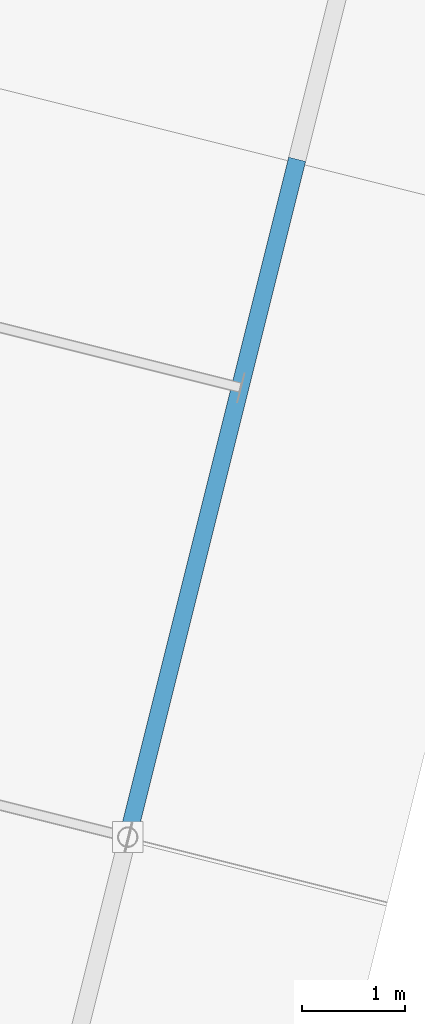
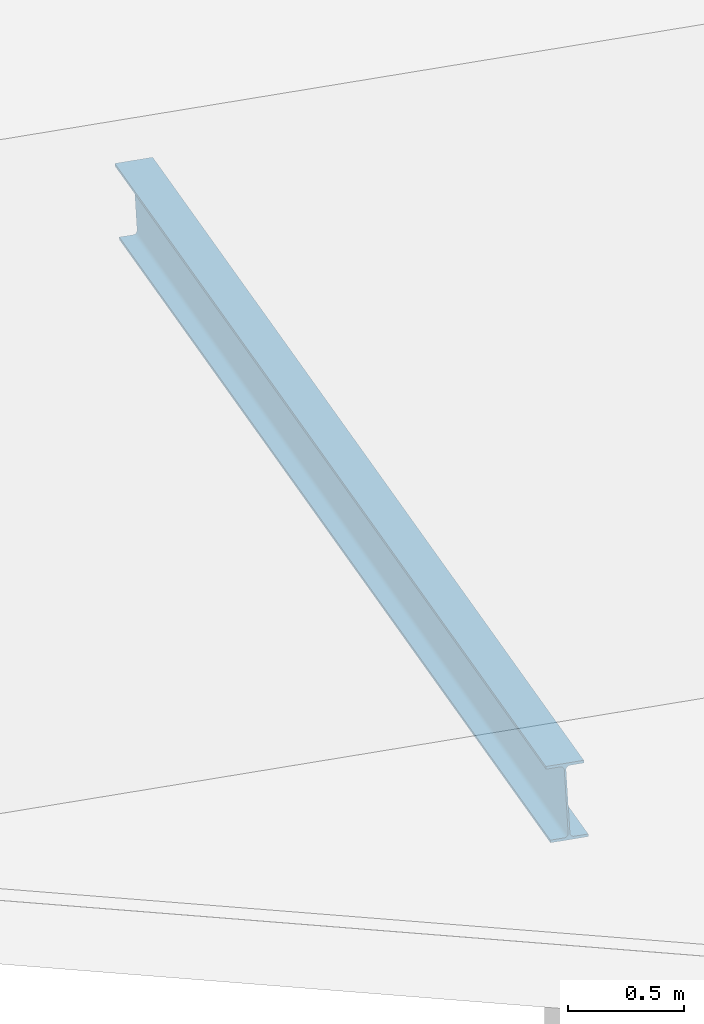
# One storey, part 63 of 107: 1 member.
"""IFC4 building model written with IfcOpenShell, lengths in metres."""

from ifc_helpers import new_model, si_unit, derived_unit, direction, frame, origin, origin_2d, place, context, subcontext, project, spatial, i_section, extrude, material, material_profile, profile_set, type_object, element, save


model = new_model("IFC4")

# Units and contexts
model_context = context("Model", 3, precision=1e-05, world=origin(), true_north=direction((0.0, 1.0)))
body_context = subcontext(model_context, "Body", "Model", "MODEL_VIEW")
ifc_project = project(units=[si_unit("LENGTHUNIT", "METRE"), si_unit("AREAUNIT", "SQUARE_METRE"), si_unit("VOLUMEUNIT", "CUBIC_METRE"), si_unit("PLANEANGLEUNIT", "RADIAN"), si_unit("MASSUNIT", "GRAM", prefix="KILO"), si_unit("THERMODYNAMICTEMPERATUREUNIT", "KELVIN"), si_unit("TIMEUNIT", "SECOND"), derived_unit("THERMALTRANSMITTANCEUNIT", [(si_unit("MASSUNIT", "GRAM", prefix="KILO"), 1), (si_unit("THERMODYNAMICTEMPERATUREUNIT", "KELVIN"), -1), (si_unit("TIMEUNIT", "SECOND"), -3)])], contexts=[model_context])

# Site, building, storey
site_placement = place(None, origin())
site = spatial("IfcSite", under=ifc_project, at=site_placement, CompositionType="ELEMENT")
building_placement = place(site_placement, origin())
building = spatial("IfcBuilding", under=site, at=building_placement, Name="Cambertide Market Hall", CompositionType="ELEMENT")
storey_placement = place(building_placement, frame((0.0, 0.0, 18.300048828125)))
storey = spatial("IfcBuildingStorey", under=building, at=storey_placement, Name="RF", CompositionType="ELEMENT", Elevation=18.300048828125)

# Member
ifc_material = material(Name="Steel S355", Category="steel")
ifc_material_profile = material_profile(ifc_material, i_section(OverallWidth=0.169921875, OverallDepth=0.360107421875, WebThickness=0.008056640625, FlangeThickness=0.0126953125, FilletRadius=0.01806640625, at=origin_2d()), Name="IPE 360")
ifc_profile_set = profile_set([ifc_material_profile], Name="Steel S355")
member_type = type_object("IfcMemberType", Name="Radial Fan Rafter IPE 360", PredefinedType="RAFTER", material=ifc_profile_set)
member_placement = place(storey_placement, frame((171.726318359375, 91.026123046875, 1.003173828125), z_axis=(0.237641829002, 0.950673643448, -0.199363950505), x_axis=(-0.970148882494, 0.242510094215, 0.0)))
element("IfcMember", 1, at=member_placement, inside=storey, type_object=member_type, Name="RAF-V4-9-2", PredefinedType="RAFTER", context=body_context, shape_type="SweptSolid", body=[
    extrude(i_section(OverallWidth=0.169921875, OverallDepth=0.360107421875, WebThickness=0.008056640625, FlangeThickness=0.0126953125, FilletRadius=0.01806640625, at=origin_2d()), origin(), (0.0, 0.0, 1.0), 6.888427734375),
])

save(model, "model.ifc")
